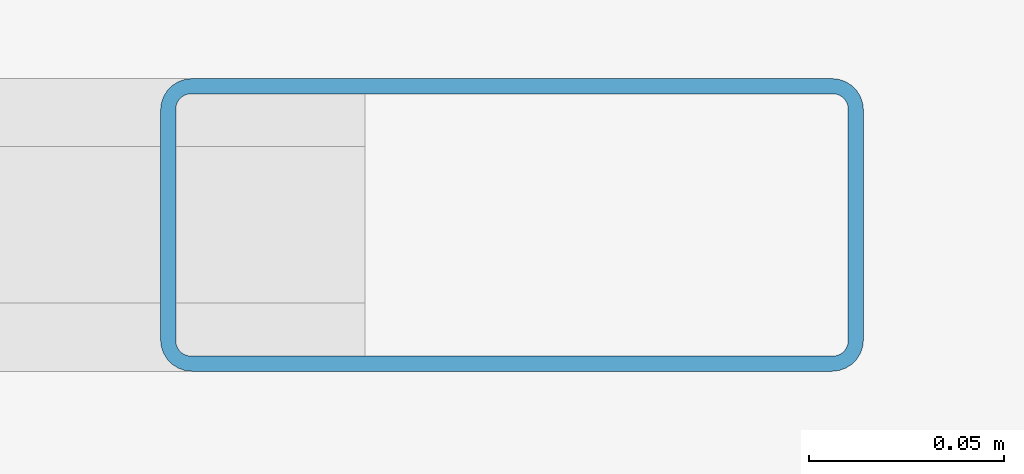
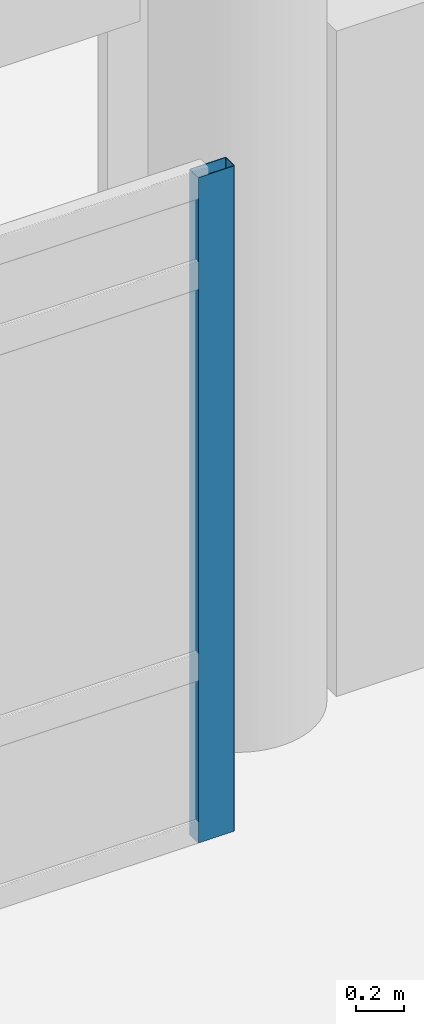
# One storey, part 134 of 196: 1 member, 1 element without a shape of its own.
"""IFC4 building model written with IfcOpenShell, lengths in metres."""

from ifc_helpers import new_model, si_unit, direction, frame, origin, origin_2d, place, context, subcontext, project, spatial, hollow_rectangle, extrude, material, layer, layer_set, material_profile, profile_set, type_object, element, aggregate, save


model = new_model("IFC4")

# Units and contexts
model_context = context("Model", 3, precision=1e-05, world=origin(), true_north=direction((0.0, 1.0)))
body_context = subcontext(model_context, "Body", "Model", "MODEL_VIEW")
ifc_project = project(units=[si_unit("LENGTHUNIT", "METRE"), si_unit("AREAUNIT", "SQUARE_METRE"), si_unit("VOLUMEUNIT", "CUBIC_METRE"), si_unit("PLANEANGLEUNIT", "RADIAN"), si_unit("MASSUNIT", "GRAM", prefix="KILO")], contexts=[model_context])

# Site, building, storey
site_placement = place(None, origin())
site = spatial("IfcSite", under=ifc_project, at=site_placement, CompositionType="ELEMENT")
building_placement = place(site_placement, origin())
building = spatial("IfcBuilding", under=site, at=building_placement, Name="Asteropetra Specialist Clinic", CompositionType="ELEMENT")
storey_placement = place(building_placement, origin())
storey = spatial("IfcBuildingStorey", under=building, at=storey_placement, Name="L00", CompositionType="ELEMENT", Elevation=0.0)

# Curtain wall, member
ifc_material_1 = material(Name="Aluminium and low-E glass", Category="aluminium")
ifc_layer = layer(ifc_material_1, 0.14990234375)
ifc_layer_set = layer_set([ifc_layer], Name="Aluminium and low-E glass")
curtain_wall_type = type_object("IfcCurtainWallType", Name="CW-SYS-11", PredefinedType="USERDEFINED", material=ifc_layer_set)
curtain_wall_placement = place(storey_placement, origin())
curtain_wall = element("IfcCurtainWall", 1, at=curtain_wall_placement, inside=storey, type_object=curtain_wall_type, Name="Curtain Wall CW-195", ObjectType="STICK GLAZED COLONNADE", PredefinedType="USERDEFINED")
ifc_material_2 = material(Name="Aluminium 6063-T6", Category="aluminium")
ifc_material_profile = material_profile(ifc_material_2, hollow_rectangle(XDim=0.074951171875, YDim=0.179931640625, WallThickness=0.00390625, InnerFilletRadius=0.00390625, OuterFilletRadius=0.008056640625, at=origin_2d()), Name="MUL 180x75x4.0")
ifc_profile_set = profile_set([ifc_material_profile], Name="Aluminium 6063-T6")
member_type = type_object("IfcMemberType", Name="CWM-180x75", PredefinedType="MULLION", material=ifc_profile_set)
member_placement = place(storey_placement, frame((143.427490234375, 61.6201171875, 0.0), z_axis=(0.0, 0.0, 1.0), x_axis=(0.0, -1.0, 0.0)))
member = element("IfcMember", 2, at=member_placement, type_object=member_type, Name="CW-195 mullion 1", PredefinedType="MULLION", context=body_context, shape_type="SweptSolid", body=[
    extrude(hollow_rectangle(XDim=0.074951171875, YDim=0.179931640625, WallThickness=0.00390625, InnerFilletRadius=0.00390625, OuterFilletRadius=0.008056640625, at=origin_2d()), origin(), (0.0, 0.0, 1.0), 3.39990234375),
])
aggregate(curtain_wall, [member])

save(model, "model.ifc")
